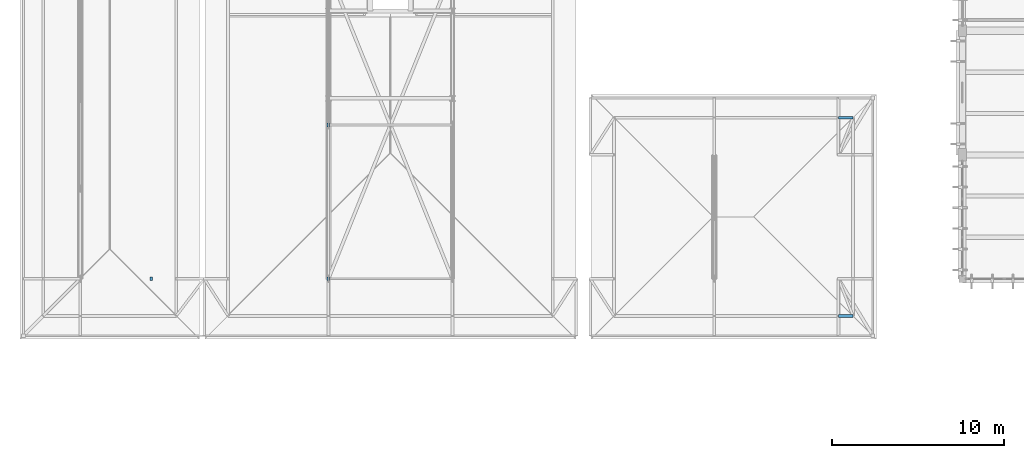
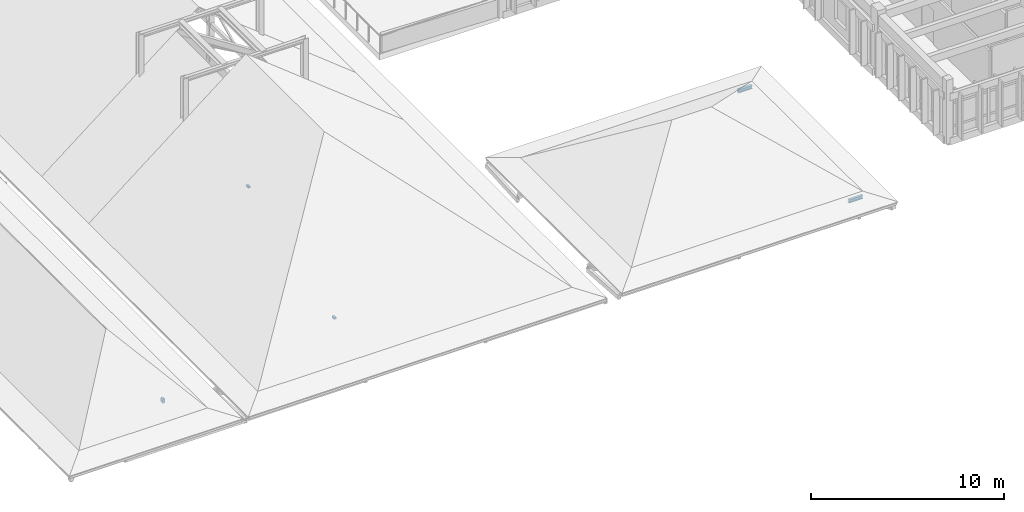
# One storey, part 19 of 51: 5 members.
"""IFC4 building model written with IfcOpenShell, lengths in metres."""

from ifc_helpers import new_model, si_unit, direction, frame, origin, origin_2d, place, context, subcontext, project, spatial, rectangle, i_section, extrude, material, material_profile, profile_set, type_object, element, save


model = new_model("IFC4")

# Units and contexts
model_context = context("Model", 3, precision=1e-05, world=origin(), true_north=direction((0.0, 1.0)))
body_context = subcontext(model_context, "Body", "Model", "MODEL_VIEW")
ifc_project = project(units=[si_unit("LENGTHUNIT", "METRE"), si_unit("AREAUNIT", "SQUARE_METRE"), si_unit("VOLUMEUNIT", "CUBIC_METRE"), si_unit("PLANEANGLEUNIT", "RADIAN"), si_unit("MASSUNIT", "GRAM", prefix="KILO")], contexts=[model_context])

# Site, building, storey
site_placement = place(None, origin())
site = spatial("IfcSite", under=ifc_project, at=site_placement, CompositionType="ELEMENT")
building_placement = place(site_placement, origin())
building = spatial("IfcBuilding", under=site, at=building_placement, Name="Steenspoor Specialist Clinic", CompositionType="ELEMENT")
storey_placement = place(building_placement, frame((0.0, 0.0, 17.39990234375)))
storey = spatial("IfcBuildingStorey", under=building, at=storey_placement, Name="L04", CompositionType="ELEMENT", Elevation=17.39990234375)

# Members
ifc_material_1 = material(Name="Steel A992 Grade 50", Category="steel")
ifc_material_profile_1 = material_profile(ifc_material_1, i_section(OverallWidth=0.1650390625, OverallDepth=0.200927734375, WebThickness=0.006103515625, FlangeThickness=0.01025390625, at=origin_2d()), Name="W200X36")
ifc_profile_set_1 = profile_set([ifc_material_profile_1], Name="Steel A992 Grade 50")
member_type_1 = type_object("IfcMemberType", Name="MEM-PURLIN-W200", PredefinedType="PURLIN", material=ifc_profile_set_1)
for number, where, z_axis, x_axis, name in (
    (1, (66.800048828125, 70.199951171875, 0.052490234375), (1.0, 0.0, 0.0), (0.0, 1.0, 0.0), "ROOF TRUSS Knuckle Purlin 246"),
    (2, (66.800048828125, 81.699951171875, 0.052490234375), (1.0, 0.0, 0.0), (0.0, 1.0, 0.0), "ROOF TRUSS Knuckle Purlin 247"),
):
    element("IfcMember", number, at=place(storey_placement, frame(where, z_axis=z_axis, x_axis=x_axis)), inside=storey, type_object=member_type_1, Name=name, PredefinedType="PURLIN", context=body_context, shape_type="SweptSolid", body=[
        extrude(i_section(OverallWidth=0.1650390625, OverallDepth=0.200927734375, WebThickness=0.006103515625, FlangeThickness=0.01025390625, at=origin_2d()), origin(), (0.0, 0.0, 1.0), 0.849853515625),
    ])
ifc_material_2 = material(Name="Glulam GL28h", Category="wood")
ifc_material_profile_2 = material_profile(ifc_material_2, rectangle(XDim=0.139892578125, YDim=0.219970703125, at=origin_2d()), Name="GL28H-140X220")
ifc_profile_set_2 = profile_set([ifc_material_profile_2], Name="Glulam GL28h")
member_type_2 = type_object("IfcMemberType", Name="MEM-RAFTER-GL220", PredefinedType="RAFTER", material=ifc_profile_set_2)
member_1_placement = place(storey_placement, frame((37.199951171875, 72.35009765625, 1.673095703125), z_axis=(0.0, 0.0, 1.0), x_axis=(1.0, 0.0, 0.0)))
element("IfcMember", 3, at=member_1_placement, inside=storey, type_object=member_type_2, Name="ROOF TRUSS Purlin Pack 443A", PredefinedType="RAFTER", context=body_context, shape_type="SweptSolid", body=[
    extrude(rectangle(XDim=0.139892578125, YDim=0.219970703125, at=origin_2d()), origin(), (0.0, 0.0, 1.0), 0.114501953125),
])
member_2_placement = place(storey_placement, frame((37.199951171875, 81.27490234375, 4.580810546875), z_axis=(0.0, 0.0, 1.0), x_axis=(1.0, 0.0, 0.0)))
element("IfcMember", 4, at=member_2_placement, inside=storey, type_object=member_type_2, Name="ROOF TRUSS Purlin Pack 444A", PredefinedType="RAFTER", context=body_context, shape_type="SweptSolid", body=[
    extrude(rectangle(XDim=0.139892578125, YDim=0.219970703125, at=origin_2d()), origin(), (0.0, 0.0, 1.0), 0.110595703125),
])
member_3_placement = place(storey_placement, frame((26.925048828125, 72.35009765625, -0.039794921875), z_axis=(0.0, 0.0, 1.0), x_axis=(1.0, 0.0, 0.0)))
element("IfcMember", 5, at=member_3_placement, inside=storey, type_object=member_type_2, Name="ROOF TRUSS Core Bearing Strut V5W E", PredefinedType="RAFTER", context=body_context, shape_type="SweptSolid", body=[
    extrude(rectangle(XDim=0.139892578125, YDim=0.219970703125, at=origin_2d()), origin(), (0.0, 0.0, 1.0), 0.256591796875),
])

save(model, "model.ifc")
